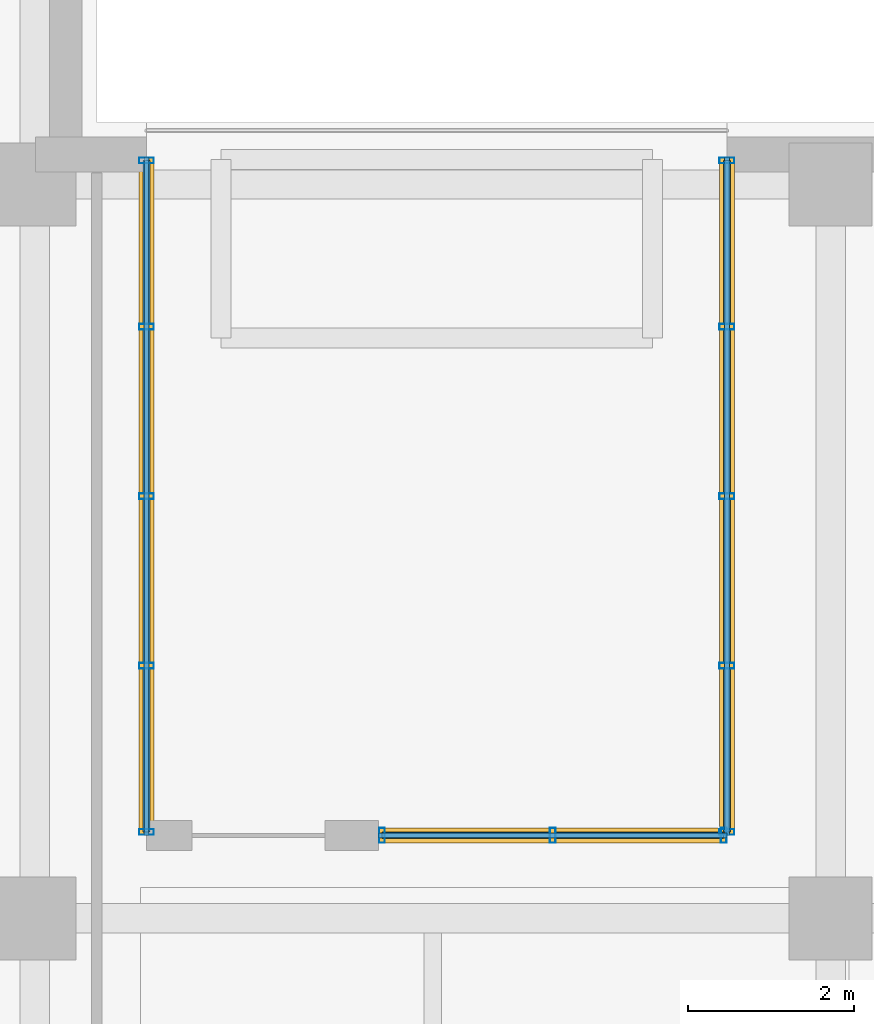
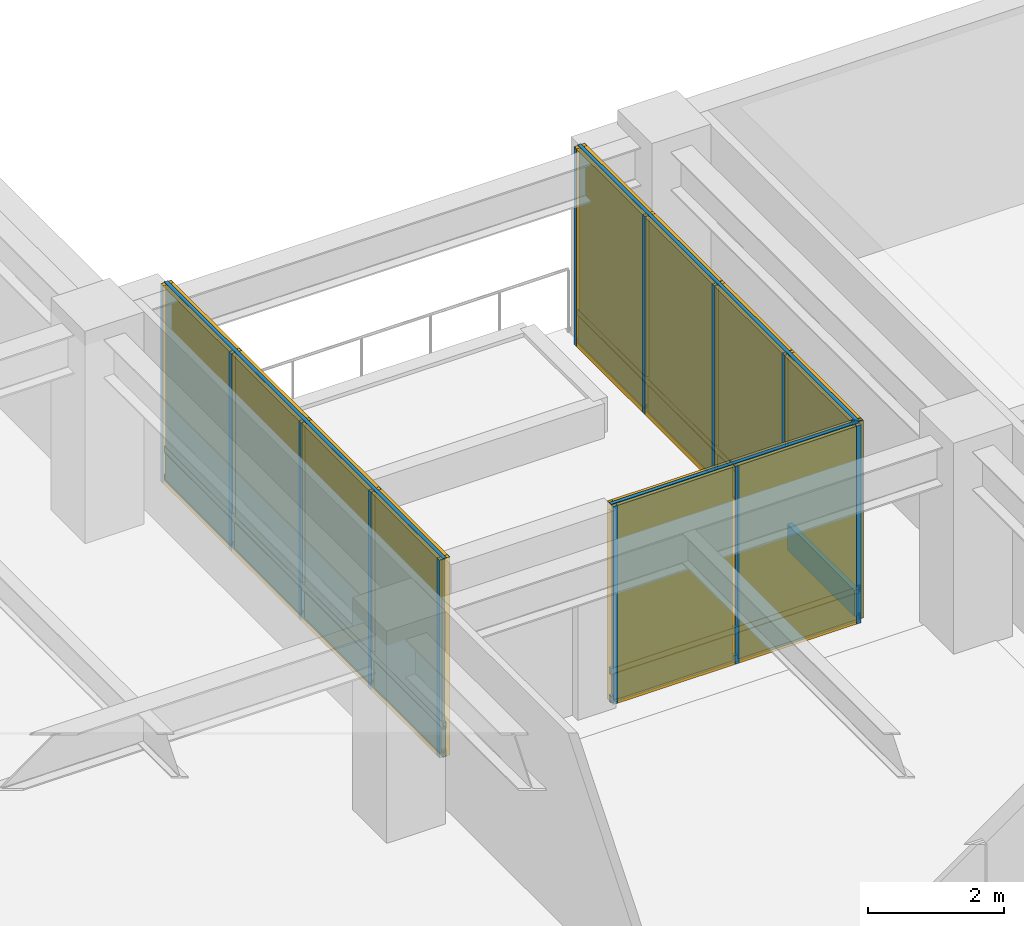
# One storey, part 11 of 16: 22 members, 20 plates, 3 curtain walls.
"""IFC4 building model written with IfcOpenShell, lengths in metres."""

import ifcopenshell
import ifcopenshell.guid

model = None  # the IFC model being written
_history = None  # IfcOwnerHistory: only IFC2X3 demands one
_inside = {}  # id of a spatial element -> (the spatial element, [elements in it])
_under = {}  # id of a project, library or spatial element -> (it, [spatial elements below it])
_declared = {}  # id of a project -> (the project, [libraries it declares])
_typed = {}  # id of a type object -> (the type object, [elements of that type])
_made_of = {}  # id of a material, layer set ... -> (it, [elements and type objects made of it])


def new_model(schema):
    """Start an empty IFC model of exactly this schema.

    Asked for "IFC4X3", IfcOpenShell would pick the latest addendum, in which some entities
    have other attributes; the version numbers below select the first issue.
    IFC2X3 requires an IfcOwnerHistory on every rooted entity: one is made here for all.
    """
    global model, _history
    if schema == "IFC4X3":
        model = ifcopenshell.file(schema_version=(4, 3, 0, 0))
    else:
        model = ifcopenshell.file(schema=schema)
    _inside.clear()
    _under.clear()
    _declared.clear()
    _typed.clear()
    _made_of.clear()
    _history = None
    if model.schema == "IFC2X3":
        org = make("IfcOrganization", Name="unknown")
        user = make(
            "IfcPersonAndOrganization",
            ThePerson=make("IfcPerson", FamilyName="unknown"),
            TheOrganization=org,
        )
        app = make(
            "IfcApplication",
            ApplicationDeveloper=org,
            Version="unknown",
            ApplicationFullName="unknown",
            ApplicationIdentifier="unknown",
        )
        _history = make(
            "IfcOwnerHistory",
            OwningUser=user,
            OwningApplication=app,
            ChangeAction="ADDED",
            CreationDate=0,
        )
    return model


def make(cls, **values):
    """One entity of the class cls with the attributes given. An attribute that is None is left unset."""
    return model.create_entity(
        cls, **{name: value for name, value in values.items() if value is not None}
    )


def rooted(cls, **values):
    """An entity with a GlobalId (a new one), such as an element, a storey or a relation."""
    return make(cls, GlobalId=ifcopenshell.guid.new(), OwnerHistory=_history, **values)


def si_unit(unit_type, name, prefix=None):
    """IfcSIUnit, for example si_unit("LENGTHUNIT", "METRE", prefix="MILLI")."""
    return make("IfcSIUnit", UnitType=unit_type, Prefix=prefix, Name=name)


def assignment(units):
    """IfcUnitAssignment: the units of a project."""
    return None if units is None else make("IfcUnitAssignment", Units=units)


def point(xyz):
    """IfcCartesianPoint."""
    return None if xyz is None else make("IfcCartesianPoint", Coordinates=xyz)


def direction(xyz):
    """IfcDirection."""
    return None if xyz is None else make("IfcDirection", DirectionRatios=xyz)


def frame(location, z_axis=None, x_axis=None):
    """IfcAxis2Placement3D, a coordinate frame: its origin and axes. An axis left out is left unset."""
    return make(
        "IfcAxis2Placement3D",
        Location=point(location),
        Axis=direction(z_axis),
        RefDirection=direction(x_axis),
    )


def frame_2d(location, x_axis=None):
    """IfcAxis2Placement2D, a coordinate frame in the plane: its origin and x axis."""
    return make(
        "IfcAxis2Placement2D", Location=point(location), RefDirection=direction(x_axis)
    )


def origin():
    """The frame at (0, 0, 0) with its axes left unset."""
    return frame((0.0, 0.0, 0.0))


def origin_2d():
    """The frame at (0, 0) in the plane with its x axis left unset."""
    return frame_2d((0.0, 0.0))


def place(relative_to, where):
    """IfcLocalPlacement: puts the frame where relative to a parent placement (None: the world)."""
    return make(
        "IfcLocalPlacement", PlacementRelTo=relative_to, RelativePlacement=where
    )


def context(
    kind, dimensions, precision=None, world=None, true_north=None, identifier=None
):
    """IfcGeometricRepresentationContext, for example the 3D "Model" context."""
    return make(
        "IfcGeometricRepresentationContext",
        ContextIdentifier=identifier,
        ContextType=kind,
        CoordinateSpaceDimension=dimensions,
        Precision=precision,
        WorldCoordinateSystem=world,
        TrueNorth=true_north,
    )


def subcontext(parent, identifier, kind, view, scale=None):
    """IfcGeometricRepresentationSubContext, for example "Body" below "Model"."""
    return make(
        "IfcGeometricRepresentationSubContext",
        ContextIdentifier=identifier,
        ContextType=kind,
        ParentContext=parent,
        TargetScale=scale,
        TargetView=view,
    )


def project(units=None, contexts=None):
    """IfcProject with its units and contexts."""
    return rooted(
        "IfcProject",
        Name="project",
        RepresentationContexts=contexts,
        UnitsInContext=assignment(units),
    )


def spatial(cls, under=None, at=None, **own):
    """A site, building, storey or space (cls), placed at a placement, below another one or the project."""
    s = rooted(cls, ObjectPlacement=at, **own)
    if under is not None:
        _under.setdefault(under.id(), (under, []))[1].append(s)
    return s


def profile(cls, at=None, kind="AREA", **sizes):
    """A parametric profile (cls). Its sizes go by their IFC names, for example OverallWidth=200.0."""
    return make(cls, ProfileType=kind, Position=at, **sizes)


def rectangle(**sizes):
    """IfcRectangleProfileDef."""
    return profile("IfcRectangleProfileDef", **sizes)


def hollow_rectangle(**sizes):
    """IfcRectangleHollowProfileDef."""
    return profile("IfcRectangleHollowProfileDef", **sizes)


def extrude(swept, where, along, depth):
    """IfcExtrudedAreaSolid: the profile swept, set in the frame where, extruded along a direction by depth."""
    return make(
        "IfcExtrudedAreaSolid",
        SweptArea=swept,
        Position=where,
        ExtrudedDirection=direction(along),
        Depth=depth,
    )


def shape(context_of_items, identifier, shape_type, items):
    """IfcShapeRepresentation: the items that make up one representation, for example the "Body"."""
    return make(
        "IfcShapeRepresentation",
        ContextOfItems=context_of_items,
        RepresentationIdentifier=identifier,
        RepresentationType=shape_type,
        Items=items,
    )


def material(Name=None, Category=None):
    """IfcMaterial."""
    return make("IfcMaterial", Name=Name, Category=Category)


def layer(
    of_material, thickness, ventilated=None, Name=None, Category=None, Priority=None
):
    """IfcMaterialLayer: one layer of a wall or slab, of a material (None: an air gap)."""
    return make(
        "IfcMaterialLayer",
        Material=of_material,
        LayerThickness=thickness,
        IsVentilated=ventilated,
        Name=Name,
        Category=Category,
        Priority=Priority,
    )


def layer_set(layers, Name=None):
    """IfcMaterialLayerSet."""
    return make("IfcMaterialLayerSet", MaterialLayers=layers, LayerSetName=Name)


def material_profile(
    of_material, cross_section, Name=None, Category=None, Priority=None
):
    """IfcMaterialProfile: a cross section and its material."""
    return make(
        "IfcMaterialProfile",
        Name=Name,
        Material=of_material,
        Profile=cross_section,
        Priority=Priority,
        Category=Category,
    )


def profile_set(profiles, Name=None, composite=None):
    """IfcMaterialProfileSet."""
    return make(
        "IfcMaterialProfileSet",
        Name=Name,
        MaterialProfiles=profiles,
        CompositeProfile=composite,
    )


def made_of(thing, what):
    """Note that an element or type object is made of a material, layer set ...; save() writes the relation."""
    if what is not None:
        _made_of.setdefault(what.id(), (what, []))[1].append(thing)
    return thing


def type_object(cls, material=None, **own):
    """A type object (cls), such as IfcWallType, which elements share."""
    return made_of(rooted(cls, **own), material)


def element(
    cls,
    number,
    at=None,
    inside=None,
    cuts=None,
    type_object=None,
    material=None,
    context=None,
    identifier="Body",
    shape_type=None,
    held_by="IfcProductDefinitionShape",
    body=None,
    shapes=None,
    **own,
):
    """One element of the class cls, such as IfcWall. Its Tag is "e" and its number.

    at: its placement. inside: the storey or other place that contains it. cuts: it is an
    opening in that element (IfcRelVoidsElement). A single representation is given by context,
    identifier, shape_type and body (its items); several are given by shapes. held_by: the class
    of the entity that holds the representations. save() writes the other relations.
    """
    e = rooted(cls, Tag="e%d" % number, ObjectPlacement=at, **own)
    if body is not None:
        shapes = [shape(context, identifier, shape_type, body)]
    if shapes is not None:
        e.Representation = make(held_by, Representations=shapes)
    if inside is not None:
        _inside.setdefault(inside.id(), (inside, []))[1].append(e)
    if cuts is not None:
        rooted(
            "IfcRelVoidsElement", RelatingBuildingElement=cuts, RelatedOpeningElement=e
        )
    if type_object is not None:
        _typed.setdefault(type_object.id(), (type_object, []))[1].append(e)
    return made_of(e, material)


def aggregate(whole, parts):
    """IfcRelAggregates: a whole, such as a stair, and the parts it consists of."""
    return rooted("IfcRelAggregates", RelatingObject=whole, RelatedObjects=parts)


def save(model, path):
    """Write the relations noted so far, then the file.

    IfcRelAggregates (storeys below a building ...), IfcRelContainedInSpatialStructure (elements
    in a storey), IfcRelDefinesByType, IfcRelAssociatesMaterial and IfcRelDeclares: one each for
    every whole, place, type object, material and project.
    """
    for whole, parts in _under.values():
        aggregate(whole, parts)
    for where, things in _inside.values():
        rooted(
            "IfcRelContainedInSpatialStructure",
            RelatedElements=things,
            RelatingStructure=where,
        )
    for kind, things in _typed.values():
        rooted("IfcRelDefinesByType", RelatedObjects=things, RelatingType=kind)
    for what, things in _made_of.values():
        rooted("IfcRelAssociatesMaterial", RelatedObjects=things, RelatingMaterial=what)
    for by, libraries in _declared.values():
        rooted("IfcRelDeclares", RelatingContext=by, RelatedDefinitions=libraries)
    model.write(path)


model = new_model("IFC4")

# Units and contexts
model_context = context("Model", 3, precision=1e-05, world=origin(), true_north=direction((0.0, 1.0)))
body_context = subcontext(model_context, "Body", "Model", "MODEL_VIEW")
ifc_project = project(units=[si_unit("LENGTHUNIT", "METRE"), si_unit("AREAUNIT", "SQUARE_METRE"), si_unit("VOLUMEUNIT", "CUBIC_METRE"), si_unit("PLANEANGLEUNIT", "RADIAN"), si_unit("MASSUNIT", "GRAM", prefix="KILO")], contexts=[model_context])

# Member
ifc_material_1 = material(Name="Anodized Aluminium 6063-T6", Category="aluminium")
ifc_material_profile_1 = material_profile(ifc_material_1, hollow_rectangle(XDim=0.070068359375, YDim=0.179931640625, WallThickness=0.00390625, at=origin_2d()), Name="Anodized Aluminium 6063-T6")
ifc_profile_set_1 = profile_set([ifc_material_profile_1], Name="Anodized Aluminium 6063-T6")
member_type_1 = type_object("IfcMemberType", Name="Curtain Wall Mullion 180", PredefinedType="MULLION", material=ifc_profile_set_1)
site_placement = place(None, origin())
building_placement = place(site_placement, origin())
storey_placement = place(building_placement, frame((0.0, 0.0, 112.800048828125)))
member_1_placement = place(storey_placement, frame((39.0, 29.840087890625, 0.0), z_axis=(0.0, 0.0, 1.0), x_axis=(0.0, 1.0, 0.0)))
member_1 = element("IfcMember", 1, at=member_1_placement, type_object=member_type_1, Name="Curtain Wall Mullion CW-L28-SGW-M01", PredefinedType="MULLION", context=body_context, shape_type="SweptSolid", body=[
    extrude(hollow_rectangle(XDim=0.070068359375, YDim=0.179931640625, WallThickness=0.00390625, at=origin_2d()), origin(), (0.0, 0.0, 1.0), 3.5400390625),
])

member_2_placement = place(storey_placement, frame((39.0, 31.844970703125, 0.0), z_axis=(0.0, 0.0, 1.0), x_axis=(0.0, 1.0, 0.0)))
member_2 = element("IfcMember", 2, at=member_2_placement, type_object=member_type_1, Name="Curtain Wall Mullion CW-L28-SGW-M02", PredefinedType="MULLION", context=body_context, shape_type="SweptSolid", body=[
    extrude(hollow_rectangle(XDim=0.070068359375, YDim=0.179931640625, WallThickness=0.00390625, at=origin_2d()), origin(), (0.0, 0.0, 1.0), 3.5400390625),
])

member_3_placement = place(storey_placement, frame((39.0, 33.889892578125, 0.0), z_axis=(0.0, 0.0, 1.0), x_axis=(0.0, 1.0, 0.0)))
member_3 = element("IfcMember", 3, at=member_3_placement, type_object=member_type_1, Name="Curtain Wall Mullion CW-L28-SGW-M03", PredefinedType="MULLION", context=body_context, shape_type="SweptSolid", body=[
    extrude(hollow_rectangle(XDim=0.070068359375, YDim=0.179931640625, WallThickness=0.00390625, at=origin_2d()), origin(), (0.0, 0.0, 1.0), 3.5400390625),
])

member_4_placement = place(storey_placement, frame((39.0, 35.93505859375, 0.0), z_axis=(0.0, 0.0, 1.0), x_axis=(0.0, 1.0, 0.0)))
member_4 = element("IfcMember", 4, at=member_4_placement, type_object=member_type_1, Name="Curtain Wall Mullion CW-L28-SGW-M04", PredefinedType="MULLION", context=body_context, shape_type="SweptSolid", body=[
    extrude(hollow_rectangle(XDim=0.070068359375, YDim=0.179931640625, WallThickness=0.00390625, at=origin_2d()), origin(), (0.0, 0.0, 1.0), 3.5400390625),
])

member_5_placement = place(storey_placement, frame((39.0, 37.93994140625, 0.0), z_axis=(0.0, 0.0, 1.0), x_axis=(0.0, 1.0, 0.0)))
member_5 = element("IfcMember", 5, at=member_5_placement, type_object=member_type_1, Name="Curtain Wall Mullion CW-L28-SGW-M05", PredefinedType="MULLION", context=body_context, shape_type="SweptSolid", body=[
    extrude(hollow_rectangle(XDim=0.070068359375, YDim=0.179931640625, WallThickness=0.00390625, at=origin_2d()), origin(), (0.0, 0.0, 1.0), 3.5400390625),
])

member_6_placement = place(storey_placement, frame((46.0, 29.840087890625, 0.0), z_axis=(0.0, 0.0, 1.0), x_axis=(0.0, 1.0, 0.0)))
member_6 = element("IfcMember", 6, at=member_6_placement, type_object=member_type_1, Name="Curtain Wall Mullion CW-L28-SGE-M01", PredefinedType="MULLION", context=body_context, shape_type="SweptSolid", body=[
    extrude(hollow_rectangle(XDim=0.070068359375, YDim=0.179931640625, WallThickness=0.00390625, at=origin_2d()), origin(), (0.0, 0.0, 1.0), 3.5400390625),
])

member_7_placement = place(storey_placement, frame((46.0, 31.844970703125, 0.0), z_axis=(0.0, 0.0, 1.0), x_axis=(0.0, 1.0, 0.0)))
member_7 = element("IfcMember", 7, at=member_7_placement, type_object=member_type_1, Name="Curtain Wall Mullion CW-L28-SGE-M02", PredefinedType="MULLION", context=body_context, shape_type="SweptSolid", body=[
    extrude(hollow_rectangle(XDim=0.070068359375, YDim=0.179931640625, WallThickness=0.00390625, at=origin_2d()), origin(), (0.0, 0.0, 1.0), 3.5400390625),
])

member_8_placement = place(storey_placement, frame((46.0, 33.889892578125, 0.0), z_axis=(0.0, 0.0, 1.0), x_axis=(0.0, 1.0, 0.0)))
member_8 = element("IfcMember", 8, at=member_8_placement, type_object=member_type_1, Name="Curtain Wall Mullion CW-L28-SGE-M03", PredefinedType="MULLION", context=body_context, shape_type="SweptSolid", body=[
    extrude(hollow_rectangle(XDim=0.070068359375, YDim=0.179931640625, WallThickness=0.00390625, at=origin_2d()), origin(), (0.0, 0.0, 1.0), 3.5400390625),
])

member_9_placement = place(storey_placement, frame((46.0, 35.93505859375, 0.0), z_axis=(0.0, 0.0, 1.0), x_axis=(0.0, 1.0, 0.0)))
member_9 = element("IfcMember", 9, at=member_9_placement, type_object=member_type_1, Name="Curtain Wall Mullion CW-L28-SGE-M04", PredefinedType="MULLION", context=body_context, shape_type="SweptSolid", body=[
    extrude(hollow_rectangle(XDim=0.070068359375, YDim=0.179931640625, WallThickness=0.00390625, at=origin_2d()), origin(), (0.0, 0.0, 1.0), 3.5400390625),
])

member_10_placement = place(storey_placement, frame((46.0, 37.93994140625, 0.0), z_axis=(0.0, 0.0, 1.0), x_axis=(0.0, 1.0, 0.0)))
member_10 = element("IfcMember", 10, at=member_10_placement, type_object=member_type_1, Name="Curtain Wall Mullion CW-L28-SGE-M05", PredefinedType="MULLION", context=body_context, shape_type="SweptSolid", body=[
    extrude(hollow_rectangle(XDim=0.070068359375, YDim=0.179931640625, WallThickness=0.00390625, at=origin_2d()), origin(), (0.0, 0.0, 1.0), 3.5400390625),
])

member_11_placement = place(storey_placement, frame((41.840087890625, 29.800048828125, 0.0), z_axis=(0.0, 0.0, 1.0), x_axis=(1.0, 0.0, 0.0)))
member_11 = element("IfcMember", 11, at=member_11_placement, type_object=member_type_1, Name="Curtain Wall Mullion CW-L28-SGS-M01", PredefinedType="MULLION", context=body_context, shape_type="SweptSolid", body=[
    extrude(hollow_rectangle(XDim=0.070068359375, YDim=0.179931640625, WallThickness=0.00390625, at=origin_2d()), origin(), (0.0, 0.0, 1.0), 3.5400390625),
])

member_12_placement = place(storey_placement, frame((43.89990234375, 29.800048828125, 0.0), z_axis=(0.0, 0.0, 1.0), x_axis=(1.0, 0.0, 0.0)))
member_12 = element("IfcMember", 12, at=member_12_placement, type_object=member_type_1, Name="Curtain Wall Mullion CW-L28-SGS-M02", PredefinedType="MULLION", context=body_context, shape_type="SweptSolid", body=[
    extrude(hollow_rectangle(XDim=0.070068359375, YDim=0.179931640625, WallThickness=0.00390625, at=origin_2d()), origin(), (0.0, 0.0, 1.0), 3.5400390625),
])

member_13_placement = place(storey_placement, frame((45.9599609375, 29.800048828125, 0.0), z_axis=(0.0, 0.0, 1.0), x_axis=(1.0, 0.0, 0.0)))
member_13 = element("IfcMember", 13, at=member_13_placement, type_object=member_type_1, Name="Curtain Wall Mullion CW-L28-SGS-M03", PredefinedType="MULLION", context=body_context, shape_type="SweptSolid", body=[
    extrude(hollow_rectangle(XDim=0.070068359375, YDim=0.179931640625, WallThickness=0.00390625, at=origin_2d()), origin(), (0.0, 0.0, 1.0), 3.5400390625),
])

ifc_material_profile_2 = material_profile(ifc_material_1, hollow_rectangle(XDim=0.06005859375, YDim=0.1201171875, WallThickness=0.00341796875, at=origin_2d()), Name="Anodized Aluminium 6063-T6")
ifc_profile_set_2 = profile_set([ifc_material_profile_2], Name="Anodized Aluminium 6063-T6")
member_type_2 = type_object("IfcMemberType", Name="Curtain Wall Transom 120", PredefinedType="USERDEFINED", material=ifc_profile_set_2)
member_14_placement = place(storey_placement, frame((39.0, 29.800048828125, 0.050048828125), z_axis=(0.0, 1.0, 0.0), x_axis=(-1.0, 0.0, 0.0)))
member_14 = element("IfcMember", 14, at=member_14_placement, type_object=member_type_2, Name="Curtain Wall Transom CW-L28-SGW-T01", ObjectType="TRANSOM", PredefinedType="USERDEFINED", context=body_context, shape_type="SweptSolid", body=[
    extrude(hollow_rectangle(XDim=0.06005859375, YDim=0.1201171875, WallThickness=0.00341796875, at=origin_2d()), origin(), (0.0, 0.0, 1.0), 8.179931640625),
])

member_15_placement = place(storey_placement, frame((39.0, 29.800048828125, 0.550048828125), z_axis=(0.0, 1.0, 0.0), x_axis=(-1.0, 0.0, 0.0)))
member_15 = element("IfcMember", 15, at=member_15_placement, type_object=member_type_2, Name="Curtain Wall Transom CW-L28-SGW-T02", ObjectType="TRANSOM", PredefinedType="USERDEFINED", context=body_context, shape_type="SweptSolid", body=[
    extrude(hollow_rectangle(XDim=0.06005859375, YDim=0.1201171875, WallThickness=0.00341796875, at=origin_2d()), origin(), (0.0, 0.0, 1.0), 8.179931640625),
])

member_16_placement = place(storey_placement, frame((39.0, 29.800048828125, 3.489990234375), z_axis=(0.0, 1.0, 0.0), x_axis=(-1.0, 0.0, 0.0)))
member_16 = element("IfcMember", 16, at=member_16_placement, type_object=member_type_2, Name="Curtain Wall Transom CW-L28-SGW-T03", ObjectType="TRANSOM", PredefinedType="USERDEFINED", context=body_context, shape_type="SweptSolid", body=[
    extrude(hollow_rectangle(XDim=0.06005859375, YDim=0.1201171875, WallThickness=0.00341796875, at=origin_2d()), origin(), (0.0, 0.0, 1.0), 8.179931640625),
])

member_17_placement = place(storey_placement, frame((46.0, 29.800048828125, 0.050048828125), z_axis=(0.0, 1.0, 0.0), x_axis=(-1.0, 0.0, 0.0)))
member_17 = element("IfcMember", 17, at=member_17_placement, type_object=member_type_2, Name="Curtain Wall Transom CW-L28-SGE-T01", ObjectType="TRANSOM", PredefinedType="USERDEFINED", context=body_context, shape_type="SweptSolid", body=[
    extrude(hollow_rectangle(XDim=0.06005859375, YDim=0.1201171875, WallThickness=0.00341796875, at=origin_2d()), origin(), (0.0, 0.0, 1.0), 8.179931640625),
])

member_18_placement = place(storey_placement, frame((46.0, 29.800048828125, 0.550048828125), z_axis=(0.0, 1.0, 0.0), x_axis=(-1.0, 0.0, 0.0)))
member_18 = element("IfcMember", 18, at=member_18_placement, type_object=member_type_2, Name="Curtain Wall Transom CW-L28-SGE-T02", ObjectType="TRANSOM", PredefinedType="USERDEFINED", context=body_context, shape_type="SweptSolid", body=[
    extrude(hollow_rectangle(XDim=0.06005859375, YDim=0.1201171875, WallThickness=0.00341796875, at=origin_2d()), origin(), (0.0, 0.0, 1.0), 8.179931640625),
])

member_19_placement = place(storey_placement, frame((46.0, 29.800048828125, 3.489990234375), z_axis=(0.0, 1.0, 0.0), x_axis=(-1.0, 0.0, 0.0)))
member_19 = element("IfcMember", 19, at=member_19_placement, type_object=member_type_2, Name="Curtain Wall Transom CW-L28-SGE-T03", ObjectType="TRANSOM", PredefinedType="USERDEFINED", context=body_context, shape_type="SweptSolid", body=[
    extrude(hollow_rectangle(XDim=0.06005859375, YDim=0.1201171875, WallThickness=0.00341796875, at=origin_2d()), origin(), (0.0, 0.0, 1.0), 8.179931640625),
])

member_20_placement = place(storey_placement, frame((41.800048828125, 29.800048828125, 0.050048828125), z_axis=(1.0, 0.0, 0.0), x_axis=(0.0, 1.0, 0.0)))
member_20 = element("IfcMember", 20, at=member_20_placement, type_object=member_type_2, Name="Curtain Wall Transom CW-L28-SGS-T01", ObjectType="TRANSOM", PredefinedType="USERDEFINED", context=body_context, shape_type="SweptSolid", body=[
    extrude(hollow_rectangle(XDim=0.06005859375, YDim=0.1201171875, WallThickness=0.00341796875, at=origin_2d()), origin(), (0.0, 0.0, 1.0), 4.199951171875),
])

member_21_placement = place(storey_placement, frame((41.800048828125, 29.800048828125, 0.550048828125), z_axis=(1.0, 0.0, 0.0), x_axis=(0.0, 1.0, 0.0)))
member_21 = element("IfcMember", 21, at=member_21_placement, type_object=member_type_2, Name="Curtain Wall Transom CW-L28-SGS-T02", ObjectType="TRANSOM", PredefinedType="USERDEFINED", context=body_context, shape_type="SweptSolid", body=[
    extrude(hollow_rectangle(XDim=0.06005859375, YDim=0.1201171875, WallThickness=0.00341796875, at=origin_2d()), origin(), (0.0, 0.0, 1.0), 4.199951171875),
])

member_22_placement = place(storey_placement, frame((41.800048828125, 29.800048828125, 3.489990234375), z_axis=(1.0, 0.0, 0.0), x_axis=(0.0, 1.0, 0.0)))
member_22 = element("IfcMember", 22, at=member_22_placement, type_object=member_type_2, Name="Curtain Wall Transom CW-L28-SGS-T03", ObjectType="TRANSOM", PredefinedType="USERDEFINED", context=body_context, shape_type="SweptSolid", body=[
    extrude(hollow_rectangle(XDim=0.06005859375, YDim=0.1201171875, WallThickness=0.00341796875, at=origin_2d()), origin(), (0.0, 0.0, 1.0), 4.199951171875),
])

# Plate
ifc_material_2 = material(Name="Bird-Friendly Fritted Triple Glazing", Category="glass")
ifc_layer_1 = layer(ifc_material_2, 0.052001953125, Name="Bird-Friendly Fritted Triple Glazing")
ifc_layer_set_1 = layer_set([ifc_layer_1], Name="Bird-Friendly Fritted Triple Glazing")
plate_type_1 = type_object("IfcPlateType", Name="Plate CWGlazing 52", PredefinedType="CURTAIN_PANEL", material=ifc_layer_set_1)
plate_1_placement = place(storey_placement, frame((39.0, 30.822509765625, 0.58984375), z_axis=(0.0, 0.0, 1.0), x_axis=(0.0, 1.0, 0.0)))
plate_1 = element("IfcPlate", 23, at=plate_1_placement, type_object=plate_type_1, Name="Vision Glazing Panel CW-L28-SGW-GL01", PredefinedType="CURTAIN_PANEL", context=body_context, shape_type="SweptSolid", body=[
    extrude(rectangle(XDim=1.965087890625, YDim=0.052001953125, at=origin_2d()), origin(), (0.0, 0.0, 1.0), 2.909912109375),
])

plate_2_placement = place(storey_placement, frame((39.0, 32.867431640625, 0.58984375), z_axis=(0.0, 0.0, 1.0), x_axis=(0.0, 1.0, 0.0)))
plate_2 = element("IfcPlate", 24, at=plate_2_placement, type_object=plate_type_1, Name="Vision Glazing Panel CW-L28-SGW-GL02", PredefinedType="CURTAIN_PANEL", context=body_context, shape_type="SweptSolid", body=[
    extrude(rectangle(XDim=1.965087890625, YDim=0.052001953125, at=origin_2d()), origin(), (0.0, 0.0, 1.0), 2.909912109375),
])

plate_3_placement = place(storey_placement, frame((39.0, 34.91259765625, 0.58984375), z_axis=(0.0, 0.0, 1.0), x_axis=(0.0, 1.0, 0.0)))
plate_3 = element("IfcPlate", 25, at=plate_3_placement, type_object=plate_type_1, Name="Vision Glazing Panel CW-L28-SGW-GL03", PredefinedType="CURTAIN_PANEL", context=body_context, shape_type="SweptSolid", body=[
    extrude(rectangle(XDim=1.965087890625, YDim=0.052001953125, at=origin_2d()), origin(), (0.0, 0.0, 1.0), 2.909912109375),
])

plate_4_placement = place(storey_placement, frame((39.0, 36.95751953125, 0.58984375), z_axis=(0.0, 0.0, 1.0), x_axis=(0.0, 1.0, 0.0)))
plate_4 = element("IfcPlate", 26, at=plate_4_placement, type_object=plate_type_1, Name="Vision Glazing Panel CW-L28-SGW-GL04", PredefinedType="CURTAIN_PANEL", context=body_context, shape_type="SweptSolid", body=[
    extrude(rectangle(XDim=1.965087890625, YDim=0.052001953125, at=origin_2d()), origin(), (0.0, 0.0, 1.0), 2.909912109375),
])

plate_5_placement = place(storey_placement, frame((46.0, 30.822509765625, 0.58984375), z_axis=(0.0, 0.0, 1.0), x_axis=(0.0, 1.0, 0.0)))
plate_5 = element("IfcPlate", 27, at=plate_5_placement, type_object=plate_type_1, Name="Vision Glazing Panel CW-L28-SGE-GL01", PredefinedType="CURTAIN_PANEL", context=body_context, shape_type="SweptSolid", body=[
    extrude(rectangle(XDim=1.965087890625, YDim=0.052001953125, at=origin_2d()), origin(), (0.0, 0.0, 1.0), 2.909912109375),
])

plate_6_placement = place(storey_placement, frame((46.0, 32.867431640625, 0.58984375), z_axis=(0.0, 0.0, 1.0), x_axis=(0.0, 1.0, 0.0)))
plate_6 = element("IfcPlate", 28, at=plate_6_placement, type_object=plate_type_1, Name="Vision Glazing Panel CW-L28-SGE-GL02", PredefinedType="CURTAIN_PANEL", context=body_context, shape_type="SweptSolid", body=[
    extrude(rectangle(XDim=1.965087890625, YDim=0.052001953125, at=origin_2d()), origin(), (0.0, 0.0, 1.0), 2.909912109375),
])

plate_7_placement = place(storey_placement, frame((46.0, 34.91259765625, 0.58984375), z_axis=(0.0, 0.0, 1.0), x_axis=(0.0, 1.0, 0.0)))
plate_7 = element("IfcPlate", 29, at=plate_7_placement, type_object=plate_type_1, Name="Vision Glazing Panel CW-L28-SGE-GL03", PredefinedType="CURTAIN_PANEL", context=body_context, shape_type="SweptSolid", body=[
    extrude(rectangle(XDim=1.965087890625, YDim=0.052001953125, at=origin_2d()), origin(), (0.0, 0.0, 1.0), 2.909912109375),
])

plate_8_placement = place(storey_placement, frame((46.0, 36.95751953125, 0.58984375), z_axis=(0.0, 0.0, 1.0), x_axis=(0.0, 1.0, 0.0)))
plate_8 = element("IfcPlate", 30, at=plate_8_placement, type_object=plate_type_1, Name="Vision Glazing Panel CW-L28-SGE-GL04", PredefinedType="CURTAIN_PANEL", context=body_context, shape_type="SweptSolid", body=[
    extrude(rectangle(XDim=1.965087890625, YDim=0.052001953125, at=origin_2d()), origin(), (0.0, 0.0, 1.0), 2.909912109375),
])

plate_9_placement = place(storey_placement, frame((42.85009765625, 29.800048828125, 0.58984375), z_axis=(0.0, 0.0, 1.0), x_axis=(1.0, 0.0, 0.0)))
plate_9 = element("IfcPlate", 31, at=plate_9_placement, type_object=plate_type_1, Name="Vision Glazing Panel CW-L28-SGS-GL01", PredefinedType="CURTAIN_PANEL", context=body_context, shape_type="SweptSolid", body=[
    extrude(rectangle(XDim=2.02001953125, YDim=0.052001953125, at=origin_2d()), origin(), (0.0, 0.0, 1.0), 2.909912109375),
])

plate_10_placement = place(storey_placement, frame((44.949951171875, 29.800048828125, 0.58984375), z_axis=(0.0, 0.0, 1.0), x_axis=(1.0, 0.0, 0.0)))
plate_10 = element("IfcPlate", 32, at=plate_10_placement, type_object=plate_type_1, Name="Vision Glazing Panel CW-L28-SGS-GL02", PredefinedType="CURTAIN_PANEL", context=body_context, shape_type="SweptSolid", body=[
    extrude(rectangle(XDim=2.02001953125, YDim=0.052001953125, at=origin_2d()), origin(), (0.0, 0.0, 1.0), 2.909912109375),
])

ifc_material_3 = material(Name="Insulated Aluminium Spandrel Panel", Category="aluminium")
ifc_layer_2 = layer(ifc_material_3, 0.080078125, Name="Insulated Aluminium Spandrel Panel")
ifc_layer_set_2 = layer_set([ifc_layer_2], Name="Insulated Aluminium Spandrel Panel")
plate_type_2 = type_object("IfcPlateType", Name="Plate CWSpandrel 80", PredefinedType="SHEET", material=ifc_layer_set_2)
plate_11_placement = place(storey_placement, frame((39.0, 30.822509765625, 0.0400390625), z_axis=(0.0, 0.0, 1.0), x_axis=(0.0, 1.0, 0.0)))
plate_11 = element("IfcPlate", 33, at=plate_11_placement, type_object=plate_type_2, Name="Spandrel Panel CW-L28-SGW-SP01", PredefinedType="SHEET", context=body_context, shape_type="SweptSolid", body=[
    extrude(rectangle(XDim=1.965087890625, YDim=0.080078125, at=origin_2d()), origin(), (0.0, 0.0, 1.0), 0.469970703125),
])

plate_12_placement = place(storey_placement, frame((39.0, 32.867431640625, 0.0400390625), z_axis=(0.0, 0.0, 1.0), x_axis=(0.0, 1.0, 0.0)))
plate_12 = element("IfcPlate", 34, at=plate_12_placement, type_object=plate_type_2, Name="Spandrel Panel CW-L28-SGW-SP02", PredefinedType="SHEET", context=body_context, shape_type="SweptSolid", body=[
    extrude(rectangle(XDim=1.965087890625, YDim=0.080078125, at=origin_2d()), origin(), (0.0, 0.0, 1.0), 0.469970703125),
])

plate_13_placement = place(storey_placement, frame((39.0, 34.91259765625, 0.0400390625), z_axis=(0.0, 0.0, 1.0), x_axis=(0.0, 1.0, 0.0)))
plate_13 = element("IfcPlate", 35, at=plate_13_placement, type_object=plate_type_2, Name="Spandrel Panel CW-L28-SGW-SP03", PredefinedType="SHEET", context=body_context, shape_type="SweptSolid", body=[
    extrude(rectangle(XDim=1.965087890625, YDim=0.080078125, at=origin_2d()), origin(), (0.0, 0.0, 1.0), 0.469970703125),
])

plate_14_placement = place(storey_placement, frame((39.0, 36.95751953125, 0.0400390625), z_axis=(0.0, 0.0, 1.0), x_axis=(0.0, 1.0, 0.0)))
plate_14 = element("IfcPlate", 36, at=plate_14_placement, type_object=plate_type_2, Name="Spandrel Panel CW-L28-SGW-SP04", PredefinedType="SHEET", context=body_context, shape_type="SweptSolid", body=[
    extrude(rectangle(XDim=1.965087890625, YDim=0.080078125, at=origin_2d()), origin(), (0.0, 0.0, 1.0), 0.469970703125),
])

plate_15_placement = place(storey_placement, frame((46.0, 30.822509765625, 0.0400390625), z_axis=(0.0, 0.0, 1.0), x_axis=(0.0, 1.0, 0.0)))
plate_15 = element("IfcPlate", 37, at=plate_15_placement, type_object=plate_type_2, Name="Spandrel Panel CW-L28-SGE-SP01", PredefinedType="SHEET", context=body_context, shape_type="SweptSolid", body=[
    extrude(rectangle(XDim=1.965087890625, YDim=0.080078125, at=origin_2d()), origin(), (0.0, 0.0, 1.0), 0.469970703125),
])

plate_16_placement = place(storey_placement, frame((46.0, 32.867431640625, 0.0400390625), z_axis=(0.0, 0.0, 1.0), x_axis=(0.0, 1.0, 0.0)))
plate_16 = element("IfcPlate", 38, at=plate_16_placement, type_object=plate_type_2, Name="Spandrel Panel CW-L28-SGE-SP02", PredefinedType="SHEET", context=body_context, shape_type="SweptSolid", body=[
    extrude(rectangle(XDim=1.965087890625, YDim=0.080078125, at=origin_2d()), origin(), (0.0, 0.0, 1.0), 0.469970703125),
])

plate_17_placement = place(storey_placement, frame((46.0, 34.91259765625, 0.0400390625), z_axis=(0.0, 0.0, 1.0), x_axis=(0.0, 1.0, 0.0)))
plate_17 = element("IfcPlate", 39, at=plate_17_placement, type_object=plate_type_2, Name="Spandrel Panel CW-L28-SGE-SP03", PredefinedType="SHEET", context=body_context, shape_type="SweptSolid", body=[
    extrude(rectangle(XDim=1.965087890625, YDim=0.080078125, at=origin_2d()), origin(), (0.0, 0.0, 1.0), 0.469970703125),
])

plate_18_placement = place(storey_placement, frame((46.0, 36.95751953125, 0.0400390625), z_axis=(0.0, 0.0, 1.0), x_axis=(0.0, 1.0, 0.0)))
plate_18 = element("IfcPlate", 40, at=plate_18_placement, type_object=plate_type_2, Name="Spandrel Panel CW-L28-SGE-SP04", PredefinedType="SHEET", context=body_context, shape_type="SweptSolid", body=[
    extrude(rectangle(XDim=1.965087890625, YDim=0.080078125, at=origin_2d()), origin(), (0.0, 0.0, 1.0), 0.469970703125),
])

plate_19_placement = place(storey_placement, frame((42.85009765625, 29.800048828125, 0.0400390625), z_axis=(0.0, 0.0, 1.0), x_axis=(1.0, 0.0, 0.0)))
plate_19 = element("IfcPlate", 41, at=plate_19_placement, type_object=plate_type_2, Name="Spandrel Panel CW-L28-SGS-SP01", PredefinedType="SHEET", context=body_context, shape_type="SweptSolid", body=[
    extrude(rectangle(XDim=2.02001953125, YDim=0.080078125, at=origin_2d()), origin(), (0.0, 0.0, 1.0), 0.469970703125),
])

plate_20_placement = place(storey_placement, frame((44.949951171875, 29.800048828125, 0.0400390625), z_axis=(0.0, 0.0, 1.0), x_axis=(1.0, 0.0, 0.0)))
plate_20 = element("IfcPlate", 42, at=plate_20_placement, type_object=plate_type_2, Name="Spandrel Panel CW-L28-SGS-SP02", PredefinedType="SHEET", context=body_context, shape_type="SweptSolid", body=[
    extrude(rectangle(XDim=2.02001953125, YDim=0.080078125, at=origin_2d()), origin(), (0.0, 0.0, 1.0), 0.469970703125),
])

# Site, building, storey
site = spatial("IfcSite", under=ifc_project, at=site_placement, CompositionType="ELEMENT")
building = spatial("IfcBuilding", under=site, at=building_placement, Name="Norrvale University Quadrangle", CompositionType="ELEMENT")
storey = spatial("IfcBuildingStorey", under=building, at=storey_placement, Name="L28", CompositionType="ELEMENT", Elevation=112.800048828125)

# Curtain wall
ifc_material_4 = material(Name="Anodized Aluminium and Triple Glazing", Category="glass")
curtain_wall_type = type_object("IfcCurtainWallType", Name="Curtain Wall System 2 Sky Garden", PredefinedType="NOTDEFINED", material=ifc_material_4)
curtain_wall_1_placement = place(storey_placement, frame((39.0, 29.800048828125, 0.0), z_axis=(0.0, 0.0, 1.0), x_axis=(0.0, 1.0, 0.0)))
curtain_wall_1 = element("IfcCurtainWall", 43, at=curtain_wall_1_placement, inside=storey, type_object=curtain_wall_type, Name="Curtain Wall CW System 2 Sky Garden CW-L28-SGW", PredefinedType="NOTDEFINED", context=body_context, shape_type="SweptSolid", body=[
    extrude(rectangle(XDim=8.179931640625, YDim=0.179931640625, at=frame_2d((4.08984375, 0.0))), origin(), (0.0, 0.0, 1.0), 3.5400390625),
])

aggregate(curtain_wall_1, [member_1, member_2, member_3, member_4, member_5, member_14, member_15, member_16, plate_11, plate_1, plate_12, plate_2, plate_13, plate_3, plate_14, plate_4])

curtain_wall_2_placement = place(storey_placement, frame((46.0, 29.800048828125, 0.0), z_axis=(0.0, 0.0, 1.0), x_axis=(0.0, 1.0, 0.0)))
curtain_wall_2 = element("IfcCurtainWall", 44, at=curtain_wall_2_placement, inside=storey, type_object=curtain_wall_type, Name="Curtain Wall CW System 2 Sky Garden CW-L28-SGE", PredefinedType="NOTDEFINED", context=body_context, shape_type="SweptSolid", body=[
    extrude(rectangle(XDim=8.179931640625, YDim=0.179931640625, at=frame_2d((4.08984375, 0.0))), origin(), (0.0, 0.0, 1.0), 3.5400390625),
])

aggregate(curtain_wall_2, [member_6, member_7, member_8, member_9, member_10, member_17, member_18, member_19, plate_15, plate_5, plate_16, plate_6, plate_17, plate_7, plate_18, plate_8])

curtain_wall_3_placement = place(storey_placement, frame((41.800048828125, 29.800048828125, 0.0), z_axis=(0.0, 0.0, 1.0), x_axis=(1.0, 0.0, 0.0)))
curtain_wall_3 = element("IfcCurtainWall", 45, at=curtain_wall_3_placement, inside=storey, type_object=curtain_wall_type, Name="Curtain Wall CW System 2 Sky Garden CW-L28-SGS", PredefinedType="NOTDEFINED", context=body_context, shape_type="SweptSolid", body=[
    extrude(rectangle(XDim=4.199951171875, YDim=0.179931640625, at=frame_2d((2.10009765625, 0.0))), origin(), (0.0, 0.0, 1.0), 3.5400390625),
])

aggregate(curtain_wall_3, [member_11, member_12, member_13, member_20, member_21, member_22, plate_19, plate_9, plate_20, plate_10])

save(model, "model.ifc")
